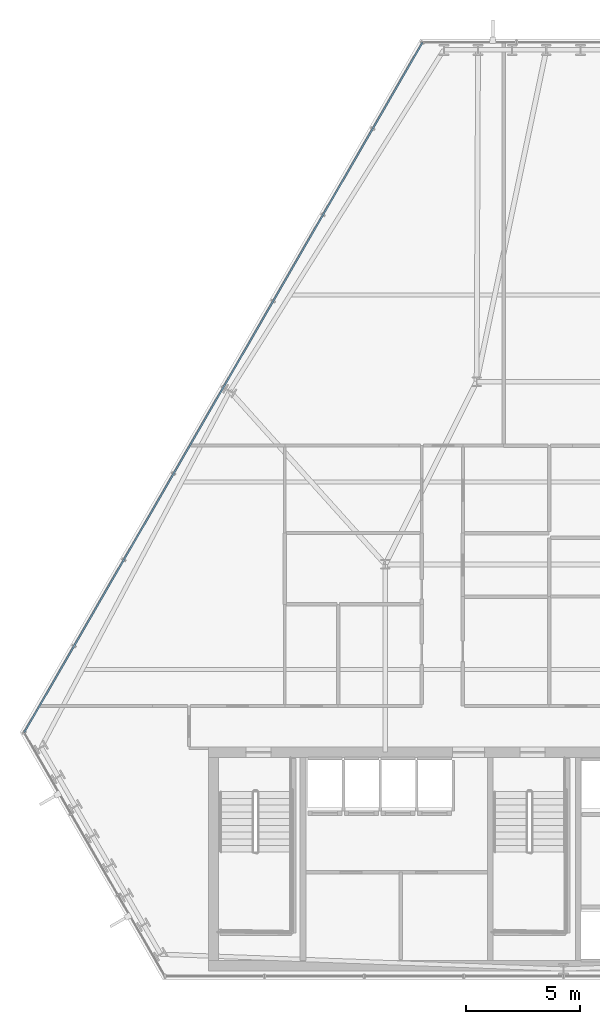
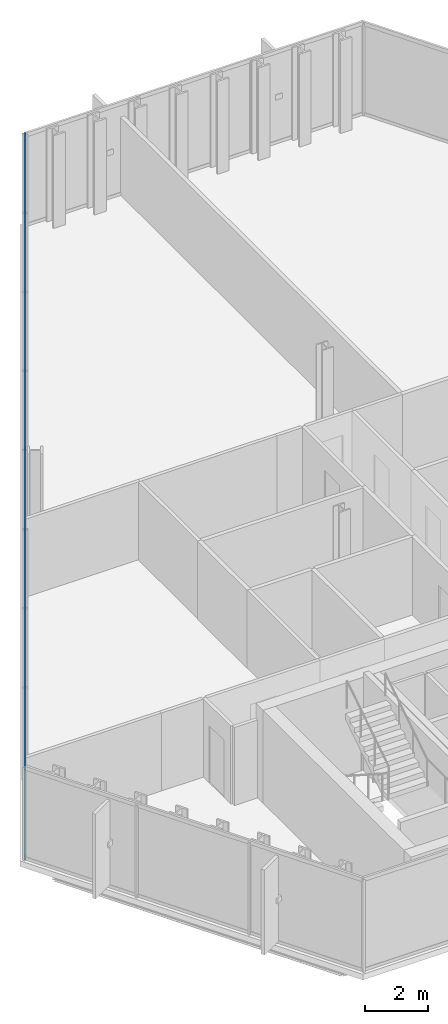
# One storey, part 12 of 32: 2 members, 1 element without a shape of its own.
"""IFC4 building model written with IfcOpenShell, lengths in metres."""

from ifc_helpers import new_model, si_unit, direction, frame, origin, origin_2d, place, context, subcontext, project, spatial, hollow_rectangle, extrude, material, layer, layer_set, material_profile, profile_set, type_object, element, aggregate, save


model = new_model("IFC4")

# Units and contexts
model_context = context("Model", 3, precision=1e-05, world=origin(), true_north=direction((0.0, 1.0)))
body_context = subcontext(model_context, "Body", "Model", "MODEL_VIEW")
ifc_project = project(units=[si_unit("LENGTHUNIT", "METRE"), si_unit("AREAUNIT", "SQUARE_METRE"), si_unit("VOLUMEUNIT", "CUBIC_METRE"), si_unit("PLANEANGLEUNIT", "RADIAN"), si_unit("MASSUNIT", "GRAM", prefix="KILO")], contexts=[model_context])

# Site, building, storey
site_placement = place(None, origin())
site = spatial("IfcSite", under=ifc_project, at=site_placement, CompositionType="ELEMENT")
building_placement = place(site_placement, origin())
building = spatial("IfcBuilding", under=site, at=building_placement, Name="Ndaravel Arena Tower", CompositionType="ELEMENT")
storey_placement = place(building_placement, frame((0.0, 0.0, 130.800048828125)))
storey = spatial("IfcBuildingStorey", under=building, at=storey_placement, Name="L30", CompositionType="ELEMENT", Elevation=130.800048828125)

# Curtain wall, members
ifc_material_1 = material(Name="Aluminium", Category="aluminium")
ifc_layer = layer(ifc_material_1, 0.179931640625)
ifc_layer_set = layer_set([ifc_layer], Name="Aluminium")
curtain_wall_type = type_object("IfcCurtainWallType", Name="CW-SYS-03", PredefinedType="NOTDEFINED", material=ifc_layer_set)
curtain_wall_placement = place(storey_placement, origin())
curtain_wall = element("IfcCurtainWall", 1, at=curtain_wall_placement, inside=storey, type_object=curtain_wall_type, Name="L30 Faceted Crystal Curtain Wall CW-L30-E05", PredefinedType="NOTDEFINED")
ifc_material_2 = material(Name="Aluminium", Category="aluminium")
ifc_material_profile = material_profile(ifc_material_2, hollow_rectangle(XDim=0.074951171875, YDim=0.14990234375, WallThickness=0.00390625, at=origin_2d()), Name="CW TRANSOM 75x150x4")
ifc_profile_set = profile_set([ifc_material_profile], Name="Aluminium")
member_type = type_object("IfcMemberType", Name="MEM-CW-TRN150", PredefinedType="USERDEFINED", material=ifc_profile_set)
member_1_placement = place(storey_placement, frame((35.833251953125, 46.05615234375, 0.0400390625), z_axis=(-0.499997655819, -0.866026757194, 0.0), x_axis=(0.866026757194, -0.499997655819, 0.0)))
member_1 = element("IfcMember", 2, at=member_1_placement, type_object=member_type, Name="CW-L30-E05 Transom 01", ObjectType="TRANSOM", PredefinedType="USERDEFINED", context=body_context, shape_type="SweptSolid", body=[
    extrude(hollow_rectangle(XDim=0.074951171875, YDim=0.14990234375, WallThickness=0.00390625, at=origin_2d()), origin(), (0.0, 0.0, 1.0), 34.889404296875),
])
member_2_placement = place(storey_placement, frame((35.833251953125, 46.05615234375, 3.5400390625), z_axis=(-0.499997655819, -0.866026757194, 0.0), x_axis=(0.866026757194, -0.499997655819, 0.0)))
member_2 = element("IfcMember", 3, at=member_2_placement, type_object=member_type, Name="CW-L30-E05 Transom 02", ObjectType="TRANSOM", PredefinedType="USERDEFINED", context=body_context, shape_type="SweptSolid", body=[
    extrude(hollow_rectangle(XDim=0.074951171875, YDim=0.14990234375, WallThickness=0.00390625, at=origin_2d()), origin(), (0.0, 0.0, 1.0), 34.889404296875),
])
aggregate(curtain_wall, [member_1, member_2])

save(model, "model.ifc")
